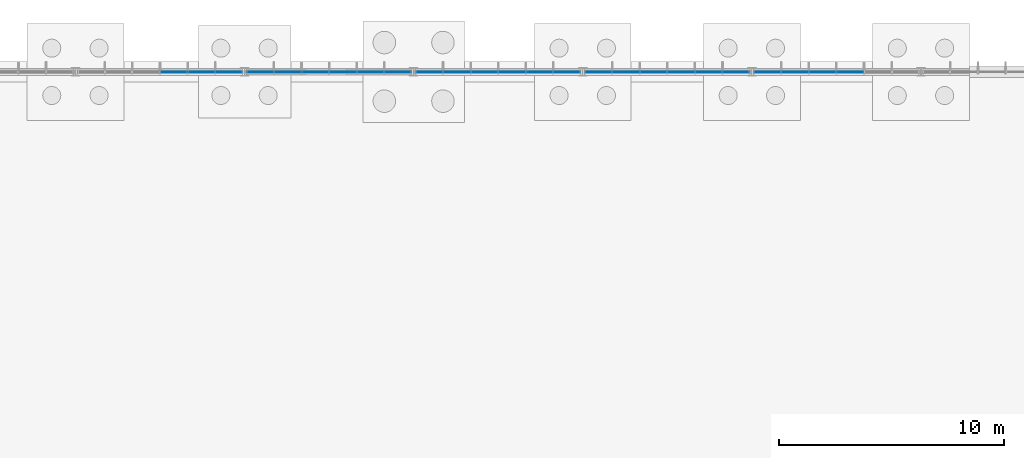
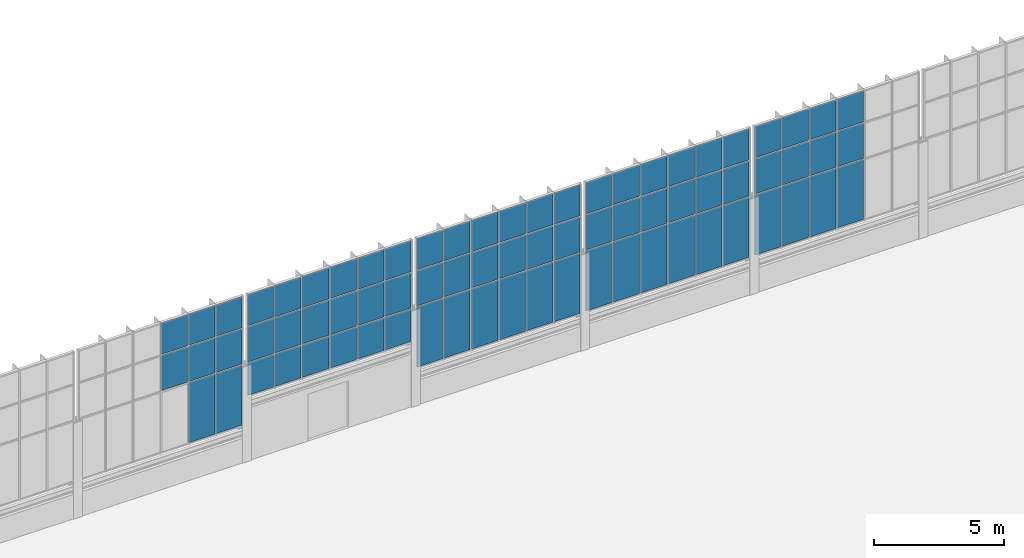
# One storey, part 89 of 136: 74 plates, 5 elements without a shape of their own.
"""IFC4 building model written with IfcOpenShell, lengths in metres."""

import ifcopenshell
import ifcopenshell.guid

model = None  # the IFC model being written
_history = None  # IfcOwnerHistory: only IFC2X3 demands one
_inside = {}  # id of a spatial element -> (the spatial element, [elements in it])
_under = {}  # id of a project, library or spatial element -> (it, [spatial elements below it])
_declared = {}  # id of a project -> (the project, [libraries it declares])
_typed = {}  # id of a type object -> (the type object, [elements of that type])
_made_of = {}  # id of a material, layer set ... -> (it, [elements and type objects made of it])


def new_model(schema):
    """Start an empty IFC model of exactly this schema.

    Asked for "IFC4X3", IfcOpenShell would pick the latest addendum, in which some entities
    have other attributes; the version numbers below select the first issue.
    IFC2X3 requires an IfcOwnerHistory on every rooted entity: one is made here for all.
    """
    global model, _history
    if schema == "IFC4X3":
        model = ifcopenshell.file(schema_version=(4, 3, 0, 0))
    else:
        model = ifcopenshell.file(schema=schema)
    _inside.clear()
    _under.clear()
    _declared.clear()
    _typed.clear()
    _made_of.clear()
    _history = None
    if model.schema == "IFC2X3":
        org = make("IfcOrganization", Name="unknown")
        user = make(
            "IfcPersonAndOrganization",
            ThePerson=make("IfcPerson", FamilyName="unknown"),
            TheOrganization=org,
        )
        app = make(
            "IfcApplication",
            ApplicationDeveloper=org,
            Version="unknown",
            ApplicationFullName="unknown",
            ApplicationIdentifier="unknown",
        )
        _history = make(
            "IfcOwnerHistory",
            OwningUser=user,
            OwningApplication=app,
            ChangeAction="ADDED",
            CreationDate=0,
        )
    return model


def make(cls, **values):
    """One entity of the class cls with the attributes given. An attribute that is None is left unset."""
    return model.create_entity(
        cls, **{name: value for name, value in values.items() if value is not None}
    )


def rooted(cls, **values):
    """An entity with a GlobalId (a new one), such as an element, a storey or a relation."""
    return make(cls, GlobalId=ifcopenshell.guid.new(), OwnerHistory=_history, **values)


def si_unit(unit_type, name, prefix=None):
    """IfcSIUnit, for example si_unit("LENGTHUNIT", "METRE", prefix="MILLI")."""
    return make("IfcSIUnit", UnitType=unit_type, Prefix=prefix, Name=name)


def assignment(units):
    """IfcUnitAssignment: the units of a project."""
    return None if units is None else make("IfcUnitAssignment", Units=units)


def point(xyz):
    """IfcCartesianPoint."""
    return None if xyz is None else make("IfcCartesianPoint", Coordinates=xyz)


def direction(xyz):
    """IfcDirection."""
    return None if xyz is None else make("IfcDirection", DirectionRatios=xyz)


def frame(location, z_axis=None, x_axis=None):
    """IfcAxis2Placement3D, a coordinate frame: its origin and axes. An axis left out is left unset."""
    return make(
        "IfcAxis2Placement3D",
        Location=point(location),
        Axis=direction(z_axis),
        RefDirection=direction(x_axis),
    )


def frame_2d(location, x_axis=None):
    """IfcAxis2Placement2D, a coordinate frame in the plane: its origin and x axis."""
    return make(
        "IfcAxis2Placement2D", Location=point(location), RefDirection=direction(x_axis)
    )


def origin():
    """The frame at (0, 0, 0) with its axes left unset."""
    return frame((0.0, 0.0, 0.0))


def origin_2d():
    """The frame at (0, 0) in the plane with its x axis left unset."""
    return frame_2d((0.0, 0.0))


def place(relative_to, where):
    """IfcLocalPlacement: puts the frame where relative to a parent placement (None: the world)."""
    return make(
        "IfcLocalPlacement", PlacementRelTo=relative_to, RelativePlacement=where
    )


def context(
    kind, dimensions, precision=None, world=None, true_north=None, identifier=None
):
    """IfcGeometricRepresentationContext, for example the 3D "Model" context."""
    return make(
        "IfcGeometricRepresentationContext",
        ContextIdentifier=identifier,
        ContextType=kind,
        CoordinateSpaceDimension=dimensions,
        Precision=precision,
        WorldCoordinateSystem=world,
        TrueNorth=true_north,
    )


def subcontext(parent, identifier, kind, view, scale=None):
    """IfcGeometricRepresentationSubContext, for example "Body" below "Model"."""
    return make(
        "IfcGeometricRepresentationSubContext",
        ContextIdentifier=identifier,
        ContextType=kind,
        ParentContext=parent,
        TargetScale=scale,
        TargetView=view,
    )


def project(units=None, contexts=None):
    """IfcProject with its units and contexts."""
    return rooted(
        "IfcProject",
        Name="project",
        RepresentationContexts=contexts,
        UnitsInContext=assignment(units),
    )


def spatial(cls, under=None, at=None, **own):
    """A site, building, storey or space (cls), placed at a placement, below another one or the project."""
    s = rooted(cls, ObjectPlacement=at, **own)
    if under is not None:
        _under.setdefault(under.id(), (under, []))[1].append(s)
    return s


def profile(cls, at=None, kind="AREA", **sizes):
    """A parametric profile (cls). Its sizes go by their IFC names, for example OverallWidth=200.0."""
    return make(cls, ProfileType=kind, Position=at, **sizes)


def rectangle(**sizes):
    """IfcRectangleProfileDef."""
    return profile("IfcRectangleProfileDef", **sizes)


def extrude(swept, where, along, depth):
    """IfcExtrudedAreaSolid: the profile swept, set in the frame where, extruded along a direction by depth."""
    return make(
        "IfcExtrudedAreaSolid",
        SweptArea=swept,
        Position=where,
        ExtrudedDirection=direction(along),
        Depth=depth,
    )


def shape(context_of_items, identifier, shape_type, items):
    """IfcShapeRepresentation: the items that make up one representation, for example the "Body"."""
    return make(
        "IfcShapeRepresentation",
        ContextOfItems=context_of_items,
        RepresentationIdentifier=identifier,
        RepresentationType=shape_type,
        Items=items,
    )


def material(Name=None, Category=None):
    """IfcMaterial."""
    return make("IfcMaterial", Name=Name, Category=Category)


def layer(
    of_material, thickness, ventilated=None, Name=None, Category=None, Priority=None
):
    """IfcMaterialLayer: one layer of a wall or slab, of a material (None: an air gap)."""
    return make(
        "IfcMaterialLayer",
        Material=of_material,
        LayerThickness=thickness,
        IsVentilated=ventilated,
        Name=Name,
        Category=Category,
        Priority=Priority,
    )


def layer_set(layers, Name=None):
    """IfcMaterialLayerSet."""
    return make("IfcMaterialLayerSet", MaterialLayers=layers, LayerSetName=Name)


def made_of(thing, what):
    """Note that an element or type object is made of a material, layer set ...; save() writes the relation."""
    if what is not None:
        _made_of.setdefault(what.id(), (what, []))[1].append(thing)
    return thing


def type_object(cls, material=None, **own):
    """A type object (cls), such as IfcWallType, which elements share."""
    return made_of(rooted(cls, **own), material)


def element(
    cls,
    number,
    at=None,
    inside=None,
    cuts=None,
    type_object=None,
    material=None,
    context=None,
    identifier="Body",
    shape_type=None,
    held_by="IfcProductDefinitionShape",
    body=None,
    shapes=None,
    **own,
):
    """One element of the class cls, such as IfcWall. Its Tag is "e" and its number.

    at: its placement. inside: the storey or other place that contains it. cuts: it is an
    opening in that element (IfcRelVoidsElement). A single representation is given by context,
    identifier, shape_type and body (its items); several are given by shapes. held_by: the class
    of the entity that holds the representations. save() writes the other relations.
    """
    e = rooted(cls, Tag="e%d" % number, ObjectPlacement=at, **own)
    if body is not None:
        shapes = [shape(context, identifier, shape_type, body)]
    if shapes is not None:
        e.Representation = make(held_by, Representations=shapes)
    if inside is not None:
        _inside.setdefault(inside.id(), (inside, []))[1].append(e)
    if cuts is not None:
        rooted(
            "IfcRelVoidsElement", RelatingBuildingElement=cuts, RelatedOpeningElement=e
        )
    if type_object is not None:
        _typed.setdefault(type_object.id(), (type_object, []))[1].append(e)
    return made_of(e, material)


def aggregate(whole, parts):
    """IfcRelAggregates: a whole, such as a stair, and the parts it consists of."""
    return rooted("IfcRelAggregates", RelatingObject=whole, RelatedObjects=parts)


def save(model, path):
    """Write the relations noted so far, then the file.

    IfcRelAggregates (storeys below a building ...), IfcRelContainedInSpatialStructure (elements
    in a storey), IfcRelDefinesByType, IfcRelAssociatesMaterial and IfcRelDeclares: one each for
    every whole, place, type object, material and project.
    """
    for whole, parts in _under.values():
        aggregate(whole, parts)
    for where, things in _inside.values():
        rooted(
            "IfcRelContainedInSpatialStructure",
            RelatedElements=things,
            RelatingStructure=where,
        )
    for kind, things in _typed.values():
        rooted("IfcRelDefinesByType", RelatedObjects=things, RelatingType=kind)
    for what, things in _made_of.values():
        rooted("IfcRelAssociatesMaterial", RelatedObjects=things, RelatingMaterial=what)
    for by, libraries in _declared.values():
        rooted("IfcRelDeclares", RelatingContext=by, RelatedDefinitions=libraries)
    model.write(path)


model = new_model("IFC4")

# Units and contexts
model_context = context("Model", 3, precision=1e-05, world=origin(), true_north=direction((0.0, 1.0)))
body_context = subcontext(model_context, "Body", "Model", "MODEL_VIEW")
ifc_project = project(units=[si_unit("LENGTHUNIT", "METRE"), si_unit("AREAUNIT", "SQUARE_METRE"), si_unit("VOLUMEUNIT", "CUBIC_METRE"), si_unit("PLANEANGLEUNIT", "RADIAN"), si_unit("MASSUNIT", "GRAM", prefix="KILO")], contexts=[model_context])

# Site, building, storey
site_placement = place(None, origin())
site = spatial("IfcSite", under=ifc_project, at=site_placement, CompositionType="ELEMENT")
building_placement = place(site_placement, origin())
building = spatial("IfcBuilding", under=site, at=building_placement, Name="Solvenia Promenade Tram Depot", CompositionType="ELEMENT")
storey_placement = place(building_placement, origin())
storey = spatial("IfcBuildingStorey", under=building, at=storey_placement, Name="L00", CompositionType="ELEMENT", Elevation=0.0)

# Curtain wall, plates
ifc_material_1 = material(Name="Anodized aluminium AW-6063 T6", Category="aluminium")
ifc_layer_1 = layer(ifc_material_1, 0.159912109375, Name="Anodized aluminium AW-6063 T6", Category="aluminium")
ifc_layer_set_1 = layer_set([ifc_layer_1], Name="Anodized aluminium AW-6063 T6")
curtain_wall_type = type_object("IfcCurtainWallType", Name="CW-Channel-1200", PredefinedType="NOTDEFINED", material=ifc_layer_set_1)
curtain_wall_1_placement = place(storey_placement, origin())
curtain_wall_1 = element("IfcCurtainWall", 1, at=curtain_wall_1_placement, inside=storey, type_object=curtain_wall_type, Name="North Translucent Channel-Glass Wall 04", PredefinedType="NOTDEFINED")
ifc_material_2 = material(Name="Low-iron translucent U-profile channel glass", Category="glass")
ifc_layer_2 = layer(ifc_material_2, 0.028076171875, Name="Low-iron translucent U-profile channel glass", Category="glass")
ifc_layer_set_2 = layer_set([ifc_layer_2], Name="Low-iron translucent U-profile channel glass")
plate_type = type_object("IfcPlateType", Name="CWP-Panel-1", PredefinedType="CURTAIN_PANEL", material=ifc_layer_set_2)
plate_1_placement = place(storey_placement, frame((26.861572265625, 126.0, 4.5302734375), z_axis=(0.0, 0.0, 1.0), x_axis=(1.0, 0.0, 0.0)))
plate_1 = element("IfcPlate", 2, at=plate_1_placement, type_object=plate_type, Name="CW-1 panel 4.2", PredefinedType="CURTAIN_PANEL", context=body_context, shape_type="SweptSolid", body=[
    extrude(rectangle(XDim=1.17138671875, YDim=0.028076171875, at=origin_2d()), origin(), (0.0, 0.0, 1.0), 1.639892578125),
])
plate_2_placement = place(storey_placement, frame((26.861572265625, 126.0, 6.22998046875), z_axis=(0.0, 0.0, 1.0), x_axis=(1.0, 0.0, 0.0)))
plate_2 = element("IfcPlate", 3, at=plate_2_placement, type_object=plate_type, Name="CW-1 panel 4.3", PredefinedType="CURTAIN_PANEL", context=body_context, shape_type="SweptSolid", body=[
    extrude(rectangle(XDim=1.17138671875, YDim=0.028076171875, at=origin_2d()), origin(), (0.0, 0.0, 1.0), 1.4599609375),
])
plate_3_placement = place(storey_placement, frame((28.0849609375, 126.0, 1.659912109375), z_axis=(0.0, 0.0, 1.0), x_axis=(1.0, 0.0, 0.0)))
plate_3 = element("IfcPlate", 4, at=plate_3_placement, type_object=plate_type, Name="CW-1 panel 5.1", PredefinedType="CURTAIN_PANEL", context=body_context, shape_type="SweptSolid", body=[
    extrude(rectangle(XDim=1.17138671875, YDim=0.028076171875, at=origin_2d()), origin(), (0.0, 0.0, 1.0), 2.81005859375),
])
plate_4_placement = place(storey_placement, frame((28.0849609375, 126.0, 4.5302734375), z_axis=(0.0, 0.0, 1.0), x_axis=(1.0, 0.0, 0.0)))
plate_4 = element("IfcPlate", 5, at=plate_4_placement, type_object=plate_type, Name="CW-1 panel 5.2", PredefinedType="CURTAIN_PANEL", context=body_context, shape_type="SweptSolid", body=[
    extrude(rectangle(XDim=1.17138671875, YDim=0.028076171875, at=origin_2d()), origin(), (0.0, 0.0, 1.0), 1.639892578125),
])
plate_5_placement = place(storey_placement, frame((28.0849609375, 126.0, 6.22998046875), z_axis=(0.0, 0.0, 1.0), x_axis=(1.0, 0.0, 0.0)))
plate_5 = element("IfcPlate", 6, at=plate_5_placement, type_object=plate_type, Name="CW-1 panel 5.3", PredefinedType="CURTAIN_PANEL", context=body_context, shape_type="SweptSolid", body=[
    extrude(rectangle(XDim=1.17138671875, YDim=0.028076171875, at=origin_2d()), origin(), (0.0, 0.0, 1.0), 1.4599609375),
])
plate_6_placement = place(storey_placement, frame((29.29541015625, 126.0, 1.659912109375), z_axis=(0.0, 0.0, 1.0), x_axis=(1.0, 0.0, 0.0)))
plate_6 = element("IfcPlate", 7, at=plate_6_placement, type_object=plate_type, Name="CW-1 panel 6.1", PredefinedType="CURTAIN_PANEL", context=body_context, shape_type="SweptSolid", body=[
    extrude(rectangle(XDim=1.145263671875, YDim=0.028076171875, at=origin_2d()), origin(), (0.0, 0.0, 1.0), 2.81005859375),
])
plate_7_placement = place(storey_placement, frame((29.29541015625, 126.0, 4.5302734375), z_axis=(0.0, 0.0, 1.0), x_axis=(1.0, 0.0, 0.0)))
plate_7 = element("IfcPlate", 8, at=plate_7_placement, type_object=plate_type, Name="CW-1 panel 6.2", PredefinedType="CURTAIN_PANEL", context=body_context, shape_type="SweptSolid", body=[
    extrude(rectangle(XDim=1.145263671875, YDim=0.028076171875, at=origin_2d()), origin(), (0.0, 0.0, 1.0), 1.639892578125),
])
plate_8_placement = place(storey_placement, frame((29.29541015625, 126.0, 6.22998046875), z_axis=(0.0, 0.0, 1.0), x_axis=(1.0, 0.0, 0.0)))
plate_8 = element("IfcPlate", 9, at=plate_8_placement, type_object=plate_type, Name="CW-1 panel 6.3", PredefinedType="CURTAIN_PANEL", context=body_context, shape_type="SweptSolid", body=[
    extrude(rectangle(XDim=1.145263671875, YDim=0.028076171875, at=origin_2d()), origin(), (0.0, 0.0, 1.0), 1.4599609375),
])
aggregate(curtain_wall_1, [plate_1, plate_2, plate_3, plate_4, plate_5, plate_6, plate_7, plate_8])

curtain_wall_2_placement = place(storey_placement, origin())
curtain_wall_2 = element("IfcCurtainWall", 10, at=curtain_wall_2_placement, inside=storey, type_object=curtain_wall_type, Name="North Translucent Channel-Glass Wall 05", PredefinedType="NOTDEFINED")
plate_9_placement = place(storey_placement, frame((30.70458984375, 126.0, 2.9599609375), z_axis=(0.0, 0.0, 1.0), x_axis=(1.0, 0.0, 0.0)))
plate_9 = element("IfcPlate", 11, at=plate_9_placement, type_object=plate_type, Name="CW-1 panel 1.1", PredefinedType="CURTAIN_PANEL", context=body_context, shape_type="SweptSolid", body=[
    extrude(rectangle(XDim=1.145263671875, YDim=0.028076171875, at=origin_2d()), origin(), (0.0, 0.0, 1.0), 1.510009765625),
])
plate_10_placement = place(storey_placement, frame((30.70458984375, 126.0, 4.5302734375), z_axis=(0.0, 0.0, 1.0), x_axis=(1.0, 0.0, 0.0)))
plate_10 = element("IfcPlate", 12, at=plate_10_placement, type_object=plate_type, Name="CW-1 panel 1.2", PredefinedType="CURTAIN_PANEL", context=body_context, shape_type="SweptSolid", body=[
    extrude(rectangle(XDim=1.145263671875, YDim=0.028076171875, at=origin_2d()), origin(), (0.0, 0.0, 1.0), 1.639892578125),
])
plate_11_placement = place(storey_placement, frame((30.70458984375, 126.0, 6.22998046875), z_axis=(0.0, 0.0, 1.0), x_axis=(1.0, 0.0, 0.0)))
plate_11 = element("IfcPlate", 13, at=plate_11_placement, type_object=plate_type, Name="CW-1 panel 1.3", PredefinedType="CURTAIN_PANEL", context=body_context, shape_type="SweptSolid", body=[
    extrude(rectangle(XDim=1.145263671875, YDim=0.028076171875, at=origin_2d()), origin(), (0.0, 0.0, 1.0), 1.4599609375),
])
plate_12_placement = place(storey_placement, frame((31.9150390625, 126.0, 2.9599609375), z_axis=(0.0, 0.0, 1.0), x_axis=(1.0, 0.0, 0.0)))
plate_12 = element("IfcPlate", 14, at=plate_12_placement, type_object=plate_type, Name="CW-1 panel 2.1", PredefinedType="CURTAIN_PANEL", context=body_context, shape_type="SweptSolid", body=[
    extrude(rectangle(XDim=1.17138671875, YDim=0.028076171875, at=origin_2d()), origin(), (0.0, 0.0, 1.0), 1.510009765625),
])
plate_13_placement = place(storey_placement, frame((31.9150390625, 126.0, 4.5302734375), z_axis=(0.0, 0.0, 1.0), x_axis=(1.0, 0.0, 0.0)))
plate_13 = element("IfcPlate", 15, at=plate_13_placement, type_object=plate_type, Name="CW-1 panel 2.2", PredefinedType="CURTAIN_PANEL", context=body_context, shape_type="SweptSolid", body=[
    extrude(rectangle(XDim=1.17138671875, YDim=0.028076171875, at=origin_2d()), origin(), (0.0, 0.0, 1.0), 1.639892578125),
])
plate_14_placement = place(storey_placement, frame((31.9150390625, 126.0, 6.22998046875), z_axis=(0.0, 0.0, 1.0), x_axis=(1.0, 0.0, 0.0)))
plate_14 = element("IfcPlate", 16, at=plate_14_placement, type_object=plate_type, Name="CW-1 panel 2.3", PredefinedType="CURTAIN_PANEL", context=body_context, shape_type="SweptSolid", body=[
    extrude(rectangle(XDim=1.17138671875, YDim=0.028076171875, at=origin_2d()), origin(), (0.0, 0.0, 1.0), 1.4599609375),
])
plate_15_placement = place(storey_placement, frame((33.138427734375, 126.0, 2.9599609375), z_axis=(0.0, 0.0, 1.0), x_axis=(1.0, 0.0, 0.0)))
plate_15 = element("IfcPlate", 17, at=plate_15_placement, type_object=plate_type, Name="CW-1 panel 3.1", PredefinedType="CURTAIN_PANEL", context=body_context, shape_type="SweptSolid", body=[
    extrude(rectangle(XDim=1.17138671875, YDim=0.028076171875, at=origin_2d()), origin(), (0.0, 0.0, 1.0), 1.510009765625),
])
plate_16_placement = place(storey_placement, frame((33.138427734375, 126.0, 4.5302734375), z_axis=(0.0, 0.0, 1.0), x_axis=(1.0, 0.0, 0.0)))
plate_16 = element("IfcPlate", 18, at=plate_16_placement, type_object=plate_type, Name="CW-1 panel 3.2", PredefinedType="CURTAIN_PANEL", context=body_context, shape_type="SweptSolid", body=[
    extrude(rectangle(XDim=1.17138671875, YDim=0.028076171875, at=origin_2d()), origin(), (0.0, 0.0, 1.0), 1.639892578125),
])
plate_17_placement = place(storey_placement, frame((33.138427734375, 126.0, 6.22998046875), z_axis=(0.0, 0.0, 1.0), x_axis=(1.0, 0.0, 0.0)))
plate_17 = element("IfcPlate", 19, at=plate_17_placement, type_object=plate_type, Name="CW-1 panel 3.3", PredefinedType="CURTAIN_PANEL", context=body_context, shape_type="SweptSolid", body=[
    extrude(rectangle(XDim=1.17138671875, YDim=0.028076171875, at=origin_2d()), origin(), (0.0, 0.0, 1.0), 1.4599609375),
])
plate_18_placement = place(storey_placement, frame((34.361572265625, 126.0, 2.9599609375), z_axis=(0.0, 0.0, 1.0), x_axis=(1.0, 0.0, 0.0)))
plate_18 = element("IfcPlate", 20, at=plate_18_placement, type_object=plate_type, Name="CW-1 panel 4.1", PredefinedType="CURTAIN_PANEL", context=body_context, shape_type="SweptSolid", body=[
    extrude(rectangle(XDim=1.17138671875, YDim=0.028076171875, at=origin_2d()), origin(), (0.0, 0.0, 1.0), 1.510009765625),
])
plate_19_placement = place(storey_placement, frame((34.361572265625, 126.0, 4.5302734375), z_axis=(0.0, 0.0, 1.0), x_axis=(1.0, 0.0, 0.0)))
plate_19 = element("IfcPlate", 21, at=plate_19_placement, type_object=plate_type, Name="CW-1 panel 4.2", PredefinedType="CURTAIN_PANEL", context=body_context, shape_type="SweptSolid", body=[
    extrude(rectangle(XDim=1.17138671875, YDim=0.028076171875, at=origin_2d()), origin(), (0.0, 0.0, 1.0), 1.639892578125),
])
plate_20_placement = place(storey_placement, frame((34.361572265625, 126.0, 6.22998046875), z_axis=(0.0, 0.0, 1.0), x_axis=(1.0, 0.0, 0.0)))
plate_20 = element("IfcPlate", 22, at=plate_20_placement, type_object=plate_type, Name="CW-1 panel 4.3", PredefinedType="CURTAIN_PANEL", context=body_context, shape_type="SweptSolid", body=[
    extrude(rectangle(XDim=1.17138671875, YDim=0.028076171875, at=origin_2d()), origin(), (0.0, 0.0, 1.0), 1.4599609375),
])
plate_21_placement = place(storey_placement, frame((35.5849609375, 126.0, 2.9599609375), z_axis=(0.0, 0.0, 1.0), x_axis=(1.0, 0.0, 0.0)))
plate_21 = element("IfcPlate", 23, at=plate_21_placement, type_object=plate_type, Name="CW-1 panel 5.1", PredefinedType="CURTAIN_PANEL", context=body_context, shape_type="SweptSolid", body=[
    extrude(rectangle(XDim=1.17138671875, YDim=0.028076171875, at=origin_2d()), origin(), (0.0, 0.0, 1.0), 1.510009765625),
])
plate_22_placement = place(storey_placement, frame((35.5849609375, 126.0, 4.5302734375), z_axis=(0.0, 0.0, 1.0), x_axis=(1.0, 0.0, 0.0)))
plate_22 = element("IfcPlate", 24, at=plate_22_placement, type_object=plate_type, Name="CW-1 panel 5.2", PredefinedType="CURTAIN_PANEL", context=body_context, shape_type="SweptSolid", body=[
    extrude(rectangle(XDim=1.17138671875, YDim=0.028076171875, at=origin_2d()), origin(), (0.0, 0.0, 1.0), 1.639892578125),
])
plate_23_placement = place(storey_placement, frame((35.5849609375, 126.0, 6.22998046875), z_axis=(0.0, 0.0, 1.0), x_axis=(1.0, 0.0, 0.0)))
plate_23 = element("IfcPlate", 25, at=plate_23_placement, type_object=plate_type, Name="CW-1 panel 5.3", PredefinedType="CURTAIN_PANEL", context=body_context, shape_type="SweptSolid", body=[
    extrude(rectangle(XDim=1.17138671875, YDim=0.028076171875, at=origin_2d()), origin(), (0.0, 0.0, 1.0), 1.4599609375),
])
plate_24_placement = place(storey_placement, frame((36.79541015625, 126.0, 2.9599609375), z_axis=(0.0, 0.0, 1.0), x_axis=(1.0, 0.0, 0.0)))
plate_24 = element("IfcPlate", 26, at=plate_24_placement, type_object=plate_type, Name="CW-1 panel 6.1", PredefinedType="CURTAIN_PANEL", context=body_context, shape_type="SweptSolid", body=[
    extrude(rectangle(XDim=1.145263671875, YDim=0.028076171875, at=origin_2d()), origin(), (0.0, 0.0, 1.0), 1.510009765625),
])
plate_25_placement = place(storey_placement, frame((36.79541015625, 126.0, 4.5302734375), z_axis=(0.0, 0.0, 1.0), x_axis=(1.0, 0.0, 0.0)))
plate_25 = element("IfcPlate", 27, at=plate_25_placement, type_object=plate_type, Name="CW-1 panel 6.2", PredefinedType="CURTAIN_PANEL", context=body_context, shape_type="SweptSolid", body=[
    extrude(rectangle(XDim=1.145263671875, YDim=0.028076171875, at=origin_2d()), origin(), (0.0, 0.0, 1.0), 1.639892578125),
])
plate_26_placement = place(storey_placement, frame((36.79541015625, 126.0, 6.22998046875), z_axis=(0.0, 0.0, 1.0), x_axis=(1.0, 0.0, 0.0)))
plate_26 = element("IfcPlate", 28, at=plate_26_placement, type_object=plate_type, Name="CW-1 panel 6.3", PredefinedType="CURTAIN_PANEL", context=body_context, shape_type="SweptSolid", body=[
    extrude(rectangle(XDim=1.145263671875, YDim=0.028076171875, at=origin_2d()), origin(), (0.0, 0.0, 1.0), 1.4599609375),
])
aggregate(curtain_wall_2, [plate_9, plate_10, plate_11, plate_12, plate_13, plate_14, plate_15, plate_16, plate_17, plate_18, plate_19, plate_20, plate_21, plate_22, plate_23, plate_24, plate_25, plate_26])

curtain_wall_3_placement = place(storey_placement, origin())
curtain_wall_3 = element("IfcCurtainWall", 29, at=curtain_wall_3_placement, inside=storey, type_object=curtain_wall_type, Name="North Translucent Channel-Glass Wall 06", PredefinedType="NOTDEFINED")
plate_27_placement = place(storey_placement, frame((38.20458984375, 126.0, 1.659912109375), z_axis=(0.0, 0.0, 1.0), x_axis=(1.0, 0.0, 0.0)))
plate_27 = element("IfcPlate", 30, at=plate_27_placement, type_object=plate_type, Name="CW-1 panel 1.1", PredefinedType="CURTAIN_PANEL", context=body_context, shape_type="SweptSolid", body=[
    extrude(rectangle(XDim=1.145263671875, YDim=0.028076171875, at=origin_2d()), origin(), (0.0, 0.0, 1.0), 2.81005859375),
])
plate_28_placement = place(storey_placement, frame((38.20458984375, 126.0, 4.5302734375), z_axis=(0.0, 0.0, 1.0), x_axis=(1.0, 0.0, 0.0)))
plate_28 = element("IfcPlate", 31, at=plate_28_placement, type_object=plate_type, Name="CW-1 panel 1.2", PredefinedType="CURTAIN_PANEL", context=body_context, shape_type="SweptSolid", body=[
    extrude(rectangle(XDim=1.145263671875, YDim=0.028076171875, at=origin_2d()), origin(), (0.0, 0.0, 1.0), 1.639892578125),
])
plate_29_placement = place(storey_placement, frame((38.20458984375, 126.0, 6.22998046875), z_axis=(0.0, 0.0, 1.0), x_axis=(1.0, 0.0, 0.0)))
plate_29 = element("IfcPlate", 32, at=plate_29_placement, type_object=plate_type, Name="CW-1 panel 1.3", PredefinedType="CURTAIN_PANEL", context=body_context, shape_type="SweptSolid", body=[
    extrude(rectangle(XDim=1.145263671875, YDim=0.028076171875, at=origin_2d()), origin(), (0.0, 0.0, 1.0), 1.4599609375),
])
plate_30_placement = place(storey_placement, frame((39.4150390625, 126.0, 1.659912109375), z_axis=(0.0, 0.0, 1.0), x_axis=(1.0, 0.0, 0.0)))
plate_30 = element("IfcPlate", 33, at=plate_30_placement, type_object=plate_type, Name="CW-1 panel 2.1", PredefinedType="CURTAIN_PANEL", context=body_context, shape_type="SweptSolid", body=[
    extrude(rectangle(XDim=1.17138671875, YDim=0.028076171875, at=origin_2d()), origin(), (0.0, 0.0, 1.0), 2.81005859375),
])
plate_31_placement = place(storey_placement, frame((39.4150390625, 126.0, 4.5302734375), z_axis=(0.0, 0.0, 1.0), x_axis=(1.0, 0.0, 0.0)))
plate_31 = element("IfcPlate", 34, at=plate_31_placement, type_object=plate_type, Name="CW-1 panel 2.2", PredefinedType="CURTAIN_PANEL", context=body_context, shape_type="SweptSolid", body=[
    extrude(rectangle(XDim=1.17138671875, YDim=0.028076171875, at=origin_2d()), origin(), (0.0, 0.0, 1.0), 1.639892578125),
])
plate_32_placement = place(storey_placement, frame((39.4150390625, 126.0, 6.22998046875), z_axis=(0.0, 0.0, 1.0), x_axis=(1.0, 0.0, 0.0)))
plate_32 = element("IfcPlate", 35, at=plate_32_placement, type_object=plate_type, Name="CW-1 panel 2.3", PredefinedType="CURTAIN_PANEL", context=body_context, shape_type="SweptSolid", body=[
    extrude(rectangle(XDim=1.17138671875, YDim=0.028076171875, at=origin_2d()), origin(), (0.0, 0.0, 1.0), 1.4599609375),
])
plate_33_placement = place(storey_placement, frame((40.638427734375, 126.0, 1.659912109375), z_axis=(0.0, 0.0, 1.0), x_axis=(1.0, 0.0, 0.0)))
plate_33 = element("IfcPlate", 36, at=plate_33_placement, type_object=plate_type, Name="CW-1 panel 3.1", PredefinedType="CURTAIN_PANEL", context=body_context, shape_type="SweptSolid", body=[
    extrude(rectangle(XDim=1.17138671875, YDim=0.028076171875, at=origin_2d()), origin(), (0.0, 0.0, 1.0), 2.81005859375),
])
plate_34_placement = place(storey_placement, frame((40.638427734375, 126.0, 4.5302734375), z_axis=(0.0, 0.0, 1.0), x_axis=(1.0, 0.0, 0.0)))
plate_34 = element("IfcPlate", 37, at=plate_34_placement, type_object=plate_type, Name="CW-1 panel 3.2", PredefinedType="CURTAIN_PANEL", context=body_context, shape_type="SweptSolid", body=[
    extrude(rectangle(XDim=1.17138671875, YDim=0.028076171875, at=origin_2d()), origin(), (0.0, 0.0, 1.0), 1.639892578125),
])
plate_35_placement = place(storey_placement, frame((40.638427734375, 126.0, 6.22998046875), z_axis=(0.0, 0.0, 1.0), x_axis=(1.0, 0.0, 0.0)))
plate_35 = element("IfcPlate", 38, at=plate_35_placement, type_object=plate_type, Name="CW-1 panel 3.3", PredefinedType="CURTAIN_PANEL", context=body_context, shape_type="SweptSolid", body=[
    extrude(rectangle(XDim=1.17138671875, YDim=0.028076171875, at=origin_2d()), origin(), (0.0, 0.0, 1.0), 1.4599609375),
])
plate_36_placement = place(storey_placement, frame((41.861572265625, 126.0, 1.659912109375), z_axis=(0.0, 0.0, 1.0), x_axis=(1.0, 0.0, 0.0)))
plate_36 = element("IfcPlate", 39, at=plate_36_placement, type_object=plate_type, Name="CW-1 panel 4.1", PredefinedType="CURTAIN_PANEL", context=body_context, shape_type="SweptSolid", body=[
    extrude(rectangle(XDim=1.17138671875, YDim=0.028076171875, at=origin_2d()), origin(), (0.0, 0.0, 1.0), 2.81005859375),
])
plate_37_placement = place(storey_placement, frame((41.861572265625, 126.0, 4.5302734375), z_axis=(0.0, 0.0, 1.0), x_axis=(1.0, 0.0, 0.0)))
plate_37 = element("IfcPlate", 40, at=plate_37_placement, type_object=plate_type, Name="CW-1 panel 4.2", PredefinedType="CURTAIN_PANEL", context=body_context, shape_type="SweptSolid", body=[
    extrude(rectangle(XDim=1.17138671875, YDim=0.028076171875, at=origin_2d()), origin(), (0.0, 0.0, 1.0), 1.639892578125),
])
plate_38_placement = place(storey_placement, frame((41.861572265625, 126.0, 6.22998046875), z_axis=(0.0, 0.0, 1.0), x_axis=(1.0, 0.0, 0.0)))
plate_38 = element("IfcPlate", 41, at=plate_38_placement, type_object=plate_type, Name="CW-1 panel 4.3", PredefinedType="CURTAIN_PANEL", context=body_context, shape_type="SweptSolid", body=[
    extrude(rectangle(XDim=1.17138671875, YDim=0.028076171875, at=origin_2d()), origin(), (0.0, 0.0, 1.0), 1.4599609375),
])
plate_39_placement = place(storey_placement, frame((43.0849609375, 126.0, 1.659912109375), z_axis=(0.0, 0.0, 1.0), x_axis=(1.0, 0.0, 0.0)))
plate_39 = element("IfcPlate", 42, at=plate_39_placement, type_object=plate_type, Name="CW-1 panel 5.1", PredefinedType="CURTAIN_PANEL", context=body_context, shape_type="SweptSolid", body=[
    extrude(rectangle(XDim=1.17138671875, YDim=0.028076171875, at=origin_2d()), origin(), (0.0, 0.0, 1.0), 2.81005859375),
])
plate_40_placement = place(storey_placement, frame((43.0849609375, 126.0, 4.5302734375), z_axis=(0.0, 0.0, 1.0), x_axis=(1.0, 0.0, 0.0)))
plate_40 = element("IfcPlate", 43, at=plate_40_placement, type_object=plate_type, Name="CW-1 panel 5.2", PredefinedType="CURTAIN_PANEL", context=body_context, shape_type="SweptSolid", body=[
    extrude(rectangle(XDim=1.17138671875, YDim=0.028076171875, at=origin_2d()), origin(), (0.0, 0.0, 1.0), 1.639892578125),
])
plate_41_placement = place(storey_placement, frame((43.0849609375, 126.0, 6.22998046875), z_axis=(0.0, 0.0, 1.0), x_axis=(1.0, 0.0, 0.0)))
plate_41 = element("IfcPlate", 44, at=plate_41_placement, type_object=plate_type, Name="CW-1 panel 5.3", PredefinedType="CURTAIN_PANEL", context=body_context, shape_type="SweptSolid", body=[
    extrude(rectangle(XDim=1.17138671875, YDim=0.028076171875, at=origin_2d()), origin(), (0.0, 0.0, 1.0), 1.4599609375),
])
plate_42_placement = place(storey_placement, frame((44.29541015625, 126.0, 1.659912109375), z_axis=(0.0, 0.0, 1.0), x_axis=(1.0, 0.0, 0.0)))
plate_42 = element("IfcPlate", 45, at=plate_42_placement, type_object=plate_type, Name="CW-1 panel 6.1", PredefinedType="CURTAIN_PANEL", context=body_context, shape_type="SweptSolid", body=[
    extrude(rectangle(XDim=1.145263671875, YDim=0.028076171875, at=origin_2d()), origin(), (0.0, 0.0, 1.0), 2.81005859375),
])
plate_43_placement = place(storey_placement, frame((44.29541015625, 126.0, 4.5302734375), z_axis=(0.0, 0.0, 1.0), x_axis=(1.0, 0.0, 0.0)))
plate_43 = element("IfcPlate", 46, at=plate_43_placement, type_object=plate_type, Name="CW-1 panel 6.2", PredefinedType="CURTAIN_PANEL", context=body_context, shape_type="SweptSolid", body=[
    extrude(rectangle(XDim=1.145263671875, YDim=0.028076171875, at=origin_2d()), origin(), (0.0, 0.0, 1.0), 1.639892578125),
])
plate_44_placement = place(storey_placement, frame((44.29541015625, 126.0, 6.22998046875), z_axis=(0.0, 0.0, 1.0), x_axis=(1.0, 0.0, 0.0)))
plate_44 = element("IfcPlate", 47, at=plate_44_placement, type_object=plate_type, Name="CW-1 panel 6.3", PredefinedType="CURTAIN_PANEL", context=body_context, shape_type="SweptSolid", body=[
    extrude(rectangle(XDim=1.145263671875, YDim=0.028076171875, at=origin_2d()), origin(), (0.0, 0.0, 1.0), 1.4599609375),
])
aggregate(curtain_wall_3, [plate_27, plate_28, plate_29, plate_30, plate_31, plate_32, plate_33, plate_34, plate_35, plate_36, plate_37, plate_38, plate_39, plate_40, plate_41, plate_42, plate_43, plate_44])

curtain_wall_4_placement = place(storey_placement, origin())
curtain_wall_4 = element("IfcCurtainWall", 48, at=curtain_wall_4_placement, inside=storey, type_object=curtain_wall_type, Name="North Translucent Channel-Glass Wall 07", PredefinedType="NOTDEFINED")
plate_45_placement = place(storey_placement, frame((45.70458984375, 126.0, 1.659912109375), z_axis=(0.0, 0.0, 1.0), x_axis=(1.0, 0.0, 0.0)))
plate_45 = element("IfcPlate", 49, at=plate_45_placement, type_object=plate_type, Name="CW-1 panel 1.1", PredefinedType="CURTAIN_PANEL", context=body_context, shape_type="SweptSolid", body=[
    extrude(rectangle(XDim=1.145263671875, YDim=0.028076171875, at=origin_2d()), origin(), (0.0, 0.0, 1.0), 2.81005859375),
])
plate_46_placement = place(storey_placement, frame((45.70458984375, 126.0, 4.5302734375), z_axis=(0.0, 0.0, 1.0), x_axis=(1.0, 0.0, 0.0)))
plate_46 = element("IfcPlate", 50, at=plate_46_placement, type_object=plate_type, Name="CW-1 panel 1.2", PredefinedType="CURTAIN_PANEL", context=body_context, shape_type="SweptSolid", body=[
    extrude(rectangle(XDim=1.145263671875, YDim=0.028076171875, at=origin_2d()), origin(), (0.0, 0.0, 1.0), 1.639892578125),
])
plate_47_placement = place(storey_placement, frame((45.70458984375, 126.0, 6.22998046875), z_axis=(0.0, 0.0, 1.0), x_axis=(1.0, 0.0, 0.0)))
plate_47 = element("IfcPlate", 51, at=plate_47_placement, type_object=plate_type, Name="CW-1 panel 1.3", PredefinedType="CURTAIN_PANEL", context=body_context, shape_type="SweptSolid", body=[
    extrude(rectangle(XDim=1.145263671875, YDim=0.028076171875, at=origin_2d()), origin(), (0.0, 0.0, 1.0), 1.4599609375),
])
plate_48_placement = place(storey_placement, frame((46.9150390625, 126.0, 1.659912109375), z_axis=(0.0, 0.0, 1.0), x_axis=(1.0, 0.0, 0.0)))
plate_48 = element("IfcPlate", 52, at=plate_48_placement, type_object=plate_type, Name="CW-1 panel 2.1", PredefinedType="CURTAIN_PANEL", context=body_context, shape_type="SweptSolid", body=[
    extrude(rectangle(XDim=1.17138671875, YDim=0.028076171875, at=origin_2d()), origin(), (0.0, 0.0, 1.0), 2.81005859375),
])
plate_49_placement = place(storey_placement, frame((46.9150390625, 126.0, 4.5302734375), z_axis=(0.0, 0.0, 1.0), x_axis=(1.0, 0.0, 0.0)))
plate_49 = element("IfcPlate", 53, at=plate_49_placement, type_object=plate_type, Name="CW-1 panel 2.2", PredefinedType="CURTAIN_PANEL", context=body_context, shape_type="SweptSolid", body=[
    extrude(rectangle(XDim=1.17138671875, YDim=0.028076171875, at=origin_2d()), origin(), (0.0, 0.0, 1.0), 1.639892578125),
])
plate_50_placement = place(storey_placement, frame((46.9150390625, 126.0, 6.22998046875), z_axis=(0.0, 0.0, 1.0), x_axis=(1.0, 0.0, 0.0)))
plate_50 = element("IfcPlate", 54, at=plate_50_placement, type_object=plate_type, Name="CW-1 panel 2.3", PredefinedType="CURTAIN_PANEL", context=body_context, shape_type="SweptSolid", body=[
    extrude(rectangle(XDim=1.17138671875, YDim=0.028076171875, at=origin_2d()), origin(), (0.0, 0.0, 1.0), 1.4599609375),
])
plate_51_placement = place(storey_placement, frame((48.138427734375, 126.0, 1.659912109375), z_axis=(0.0, 0.0, 1.0), x_axis=(1.0, 0.0, 0.0)))
plate_51 = element("IfcPlate", 55, at=plate_51_placement, type_object=plate_type, Name="CW-1 panel 3.1", PredefinedType="CURTAIN_PANEL", context=body_context, shape_type="SweptSolid", body=[
    extrude(rectangle(XDim=1.17138671875, YDim=0.028076171875, at=origin_2d()), origin(), (0.0, 0.0, 1.0), 2.81005859375),
])
plate_52_placement = place(storey_placement, frame((48.138427734375, 126.0, 4.5302734375), z_axis=(0.0, 0.0, 1.0), x_axis=(1.0, 0.0, 0.0)))
plate_52 = element("IfcPlate", 56, at=plate_52_placement, type_object=plate_type, Name="CW-1 panel 3.2", PredefinedType="CURTAIN_PANEL", context=body_context, shape_type="SweptSolid", body=[
    extrude(rectangle(XDim=1.17138671875, YDim=0.028076171875, at=origin_2d()), origin(), (0.0, 0.0, 1.0), 1.639892578125),
])
plate_53_placement = place(storey_placement, frame((48.138427734375, 126.0, 6.22998046875), z_axis=(0.0, 0.0, 1.0), x_axis=(1.0, 0.0, 0.0)))
plate_53 = element("IfcPlate", 57, at=plate_53_placement, type_object=plate_type, Name="CW-1 panel 3.3", PredefinedType="CURTAIN_PANEL", context=body_context, shape_type="SweptSolid", body=[
    extrude(rectangle(XDim=1.17138671875, YDim=0.028076171875, at=origin_2d()), origin(), (0.0, 0.0, 1.0), 1.4599609375),
])
plate_54_placement = place(storey_placement, frame((49.361572265625, 126.0, 1.659912109375), z_axis=(0.0, 0.0, 1.0), x_axis=(1.0, 0.0, 0.0)))
plate_54 = element("IfcPlate", 58, at=plate_54_placement, type_object=plate_type, Name="CW-1 panel 4.1", PredefinedType="CURTAIN_PANEL", context=body_context, shape_type="SweptSolid", body=[
    extrude(rectangle(XDim=1.17138671875, YDim=0.028076171875, at=origin_2d()), origin(), (0.0, 0.0, 1.0), 2.81005859375),
])
plate_55_placement = place(storey_placement, frame((49.361572265625, 126.0, 4.5302734375), z_axis=(0.0, 0.0, 1.0), x_axis=(1.0, 0.0, 0.0)))
plate_55 = element("IfcPlate", 59, at=plate_55_placement, type_object=plate_type, Name="CW-1 panel 4.2", PredefinedType="CURTAIN_PANEL", context=body_context, shape_type="SweptSolid", body=[
    extrude(rectangle(XDim=1.17138671875, YDim=0.028076171875, at=origin_2d()), origin(), (0.0, 0.0, 1.0), 1.639892578125),
])
plate_56_placement = place(storey_placement, frame((49.361572265625, 126.0, 6.22998046875), z_axis=(0.0, 0.0, 1.0), x_axis=(1.0, 0.0, 0.0)))
plate_56 = element("IfcPlate", 60, at=plate_56_placement, type_object=plate_type, Name="CW-1 panel 4.3", PredefinedType="CURTAIN_PANEL", context=body_context, shape_type="SweptSolid", body=[
    extrude(rectangle(XDim=1.17138671875, YDim=0.028076171875, at=origin_2d()), origin(), (0.0, 0.0, 1.0), 1.4599609375),
])
plate_57_placement = place(storey_placement, frame((50.5849609375, 126.0, 1.659912109375), z_axis=(0.0, 0.0, 1.0), x_axis=(1.0, 0.0, 0.0)))
plate_57 = element("IfcPlate", 61, at=plate_57_placement, type_object=plate_type, Name="CW-1 panel 5.1", PredefinedType="CURTAIN_PANEL", context=body_context, shape_type="SweptSolid", body=[
    extrude(rectangle(XDim=1.17138671875, YDim=0.028076171875, at=origin_2d()), origin(), (0.0, 0.0, 1.0), 2.81005859375),
])
plate_58_placement = place(storey_placement, frame((50.5849609375, 126.0, 4.5302734375), z_axis=(0.0, 0.0, 1.0), x_axis=(1.0, 0.0, 0.0)))
plate_58 = element("IfcPlate", 62, at=plate_58_placement, type_object=plate_type, Name="CW-1 panel 5.2", PredefinedType="CURTAIN_PANEL", context=body_context, shape_type="SweptSolid", body=[
    extrude(rectangle(XDim=1.17138671875, YDim=0.028076171875, at=origin_2d()), origin(), (0.0, 0.0, 1.0), 1.639892578125),
])
plate_59_placement = place(storey_placement, frame((50.5849609375, 126.0, 6.22998046875), z_axis=(0.0, 0.0, 1.0), x_axis=(1.0, 0.0, 0.0)))
plate_59 = element("IfcPlate", 63, at=plate_59_placement, type_object=plate_type, Name="CW-1 panel 5.3", PredefinedType="CURTAIN_PANEL", context=body_context, shape_type="SweptSolid", body=[
    extrude(rectangle(XDim=1.17138671875, YDim=0.028076171875, at=origin_2d()), origin(), (0.0, 0.0, 1.0), 1.4599609375),
])
plate_60_placement = place(storey_placement, frame((51.79541015625, 126.0, 1.659912109375), z_axis=(0.0, 0.0, 1.0), x_axis=(1.0, 0.0, 0.0)))
plate_60 = element("IfcPlate", 64, at=plate_60_placement, type_object=plate_type, Name="CW-1 panel 6.1", PredefinedType="CURTAIN_PANEL", context=body_context, shape_type="SweptSolid", body=[
    extrude(rectangle(XDim=1.145263671875, YDim=0.028076171875, at=origin_2d()), origin(), (0.0, 0.0, 1.0), 2.81005859375),
])
plate_61_placement = place(storey_placement, frame((51.79541015625, 126.0, 4.5302734375), z_axis=(0.0, 0.0, 1.0), x_axis=(1.0, 0.0, 0.0)))
plate_61 = element("IfcPlate", 65, at=plate_61_placement, type_object=plate_type, Name="CW-1 panel 6.2", PredefinedType="CURTAIN_PANEL", context=body_context, shape_type="SweptSolid", body=[
    extrude(rectangle(XDim=1.145263671875, YDim=0.028076171875, at=origin_2d()), origin(), (0.0, 0.0, 1.0), 1.639892578125),
])
plate_62_placement = place(storey_placement, frame((51.79541015625, 126.0, 6.22998046875), z_axis=(0.0, 0.0, 1.0), x_axis=(1.0, 0.0, 0.0)))
plate_62 = element("IfcPlate", 66, at=plate_62_placement, type_object=plate_type, Name="CW-1 panel 6.3", PredefinedType="CURTAIN_PANEL", context=body_context, shape_type="SweptSolid", body=[
    extrude(rectangle(XDim=1.145263671875, YDim=0.028076171875, at=origin_2d()), origin(), (0.0, 0.0, 1.0), 1.4599609375),
])
aggregate(curtain_wall_4, [plate_45, plate_46, plate_47, plate_48, plate_49, plate_50, plate_51, plate_52, plate_53, plate_54, plate_55, plate_56, plate_57, plate_58, plate_59, plate_60, plate_61, plate_62])

curtain_wall_5_placement = place(storey_placement, origin())
curtain_wall_5 = element("IfcCurtainWall", 67, at=curtain_wall_5_placement, inside=storey, type_object=curtain_wall_type, Name="North Translucent Channel-Glass Wall 08", PredefinedType="NOTDEFINED")
plate_63_placement = place(storey_placement, frame((53.20458984375, 126.0, 1.659912109375), z_axis=(0.0, 0.0, 1.0), x_axis=(1.0, 0.0, 0.0)))
plate_63 = element("IfcPlate", 68, at=plate_63_placement, type_object=plate_type, Name="CW-1 panel 1.1", PredefinedType="CURTAIN_PANEL", context=body_context, shape_type="SweptSolid", body=[
    extrude(rectangle(XDim=1.145263671875, YDim=0.028076171875, at=origin_2d()), origin(), (0.0, 0.0, 1.0), 2.81005859375),
])
plate_64_placement = place(storey_placement, frame((53.20458984375, 126.0, 4.5302734375), z_axis=(0.0, 0.0, 1.0), x_axis=(1.0, 0.0, 0.0)))
plate_64 = element("IfcPlate", 69, at=plate_64_placement, type_object=plate_type, Name="CW-1 panel 1.2", PredefinedType="CURTAIN_PANEL", context=body_context, shape_type="SweptSolid", body=[
    extrude(rectangle(XDim=1.145263671875, YDim=0.028076171875, at=origin_2d()), origin(), (0.0, 0.0, 1.0), 1.639892578125),
])
plate_65_placement = place(storey_placement, frame((53.20458984375, 126.0, 6.22998046875), z_axis=(0.0, 0.0, 1.0), x_axis=(1.0, 0.0, 0.0)))
plate_65 = element("IfcPlate", 70, at=plate_65_placement, type_object=plate_type, Name="CW-1 panel 1.3", PredefinedType="CURTAIN_PANEL", context=body_context, shape_type="SweptSolid", body=[
    extrude(rectangle(XDim=1.145263671875, YDim=0.028076171875, at=origin_2d()), origin(), (0.0, 0.0, 1.0), 1.4599609375),
])
plate_66_placement = place(storey_placement, frame((54.4150390625, 126.0, 1.659912109375), z_axis=(0.0, 0.0, 1.0), x_axis=(1.0, 0.0, 0.0)))
plate_66 = element("IfcPlate", 71, at=plate_66_placement, type_object=plate_type, Name="CW-1 panel 2.1", PredefinedType="CURTAIN_PANEL", context=body_context, shape_type="SweptSolid", body=[
    extrude(rectangle(XDim=1.17138671875, YDim=0.028076171875, at=origin_2d()), origin(), (0.0, 0.0, 1.0), 2.81005859375),
])
plate_67_placement = place(storey_placement, frame((54.4150390625, 126.0, 4.5302734375), z_axis=(0.0, 0.0, 1.0), x_axis=(1.0, 0.0, 0.0)))
plate_67 = element("IfcPlate", 72, at=plate_67_placement, type_object=plate_type, Name="CW-1 panel 2.2", PredefinedType="CURTAIN_PANEL", context=body_context, shape_type="SweptSolid", body=[
    extrude(rectangle(XDim=1.17138671875, YDim=0.028076171875, at=origin_2d()), origin(), (0.0, 0.0, 1.0), 1.639892578125),
])
plate_68_placement = place(storey_placement, frame((54.4150390625, 126.0, 6.22998046875), z_axis=(0.0, 0.0, 1.0), x_axis=(1.0, 0.0, 0.0)))
plate_68 = element("IfcPlate", 73, at=plate_68_placement, type_object=plate_type, Name="CW-1 panel 2.3", PredefinedType="CURTAIN_PANEL", context=body_context, shape_type="SweptSolid", body=[
    extrude(rectangle(XDim=1.17138671875, YDim=0.028076171875, at=origin_2d()), origin(), (0.0, 0.0, 1.0), 1.4599609375),
])
plate_69_placement = place(storey_placement, frame((55.638427734375, 126.0, 1.659912109375), z_axis=(0.0, 0.0, 1.0), x_axis=(1.0, 0.0, 0.0)))
plate_69 = element("IfcPlate", 74, at=plate_69_placement, type_object=plate_type, Name="CW-1 panel 3.1", PredefinedType="CURTAIN_PANEL", context=body_context, shape_type="SweptSolid", body=[
    extrude(rectangle(XDim=1.17138671875, YDim=0.028076171875, at=origin_2d()), origin(), (0.0, 0.0, 1.0), 2.81005859375),
])
plate_70_placement = place(storey_placement, frame((55.638427734375, 126.0, 4.5302734375), z_axis=(0.0, 0.0, 1.0), x_axis=(1.0, 0.0, 0.0)))
plate_70 = element("IfcPlate", 75, at=plate_70_placement, type_object=plate_type, Name="CW-1 panel 3.2", PredefinedType="CURTAIN_PANEL", context=body_context, shape_type="SweptSolid", body=[
    extrude(rectangle(XDim=1.17138671875, YDim=0.028076171875, at=origin_2d()), origin(), (0.0, 0.0, 1.0), 1.639892578125),
])
plate_71_placement = place(storey_placement, frame((55.638427734375, 126.0, 6.22998046875), z_axis=(0.0, 0.0, 1.0), x_axis=(1.0, 0.0, 0.0)))
plate_71 = element("IfcPlate", 76, at=plate_71_placement, type_object=plate_type, Name="CW-1 panel 3.3", PredefinedType="CURTAIN_PANEL", context=body_context, shape_type="SweptSolid", body=[
    extrude(rectangle(XDim=1.17138671875, YDim=0.028076171875, at=origin_2d()), origin(), (0.0, 0.0, 1.0), 1.4599609375),
])
plate_72_placement = place(storey_placement, frame((56.861572265625, 126.0, 1.659912109375), z_axis=(0.0, 0.0, 1.0), x_axis=(1.0, 0.0, 0.0)))
plate_72 = element("IfcPlate", 77, at=plate_72_placement, type_object=plate_type, Name="CW-1 panel 4.1", PredefinedType="CURTAIN_PANEL", context=body_context, shape_type="SweptSolid", body=[
    extrude(rectangle(XDim=1.17138671875, YDim=0.028076171875, at=origin_2d()), origin(), (0.0, 0.0, 1.0), 2.81005859375),
])
plate_73_placement = place(storey_placement, frame((56.861572265625, 126.0, 4.5302734375), z_axis=(0.0, 0.0, 1.0), x_axis=(1.0, 0.0, 0.0)))
plate_73 = element("IfcPlate", 78, at=plate_73_placement, type_object=plate_type, Name="CW-1 panel 4.2", PredefinedType="CURTAIN_PANEL", context=body_context, shape_type="SweptSolid", body=[
    extrude(rectangle(XDim=1.17138671875, YDim=0.028076171875, at=origin_2d()), origin(), (0.0, 0.0, 1.0), 1.639892578125),
])
plate_74_placement = place(storey_placement, frame((56.861572265625, 126.0, 6.22998046875), z_axis=(0.0, 0.0, 1.0), x_axis=(1.0, 0.0, 0.0)))
plate_74 = element("IfcPlate", 79, at=plate_74_placement, type_object=plate_type, Name="CW-1 panel 4.3", PredefinedType="CURTAIN_PANEL", context=body_context, shape_type="SweptSolid", body=[
    extrude(rectangle(XDim=1.17138671875, YDim=0.028076171875, at=origin_2d()), origin(), (0.0, 0.0, 1.0), 1.4599609375),
])
aggregate(curtain_wall_5, [plate_63, plate_64, plate_65, plate_66, plate_67, plate_68, plate_69, plate_70, plate_71, plate_72, plate_73, plate_74])

save(model, "model.ifc")
